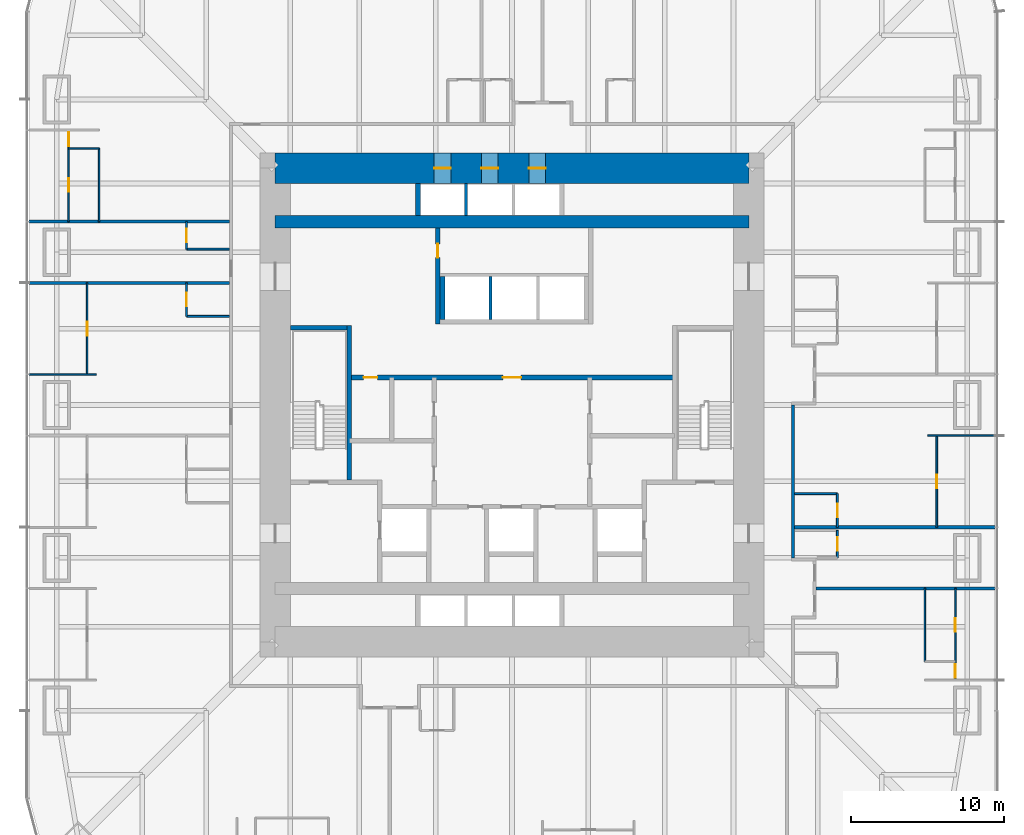
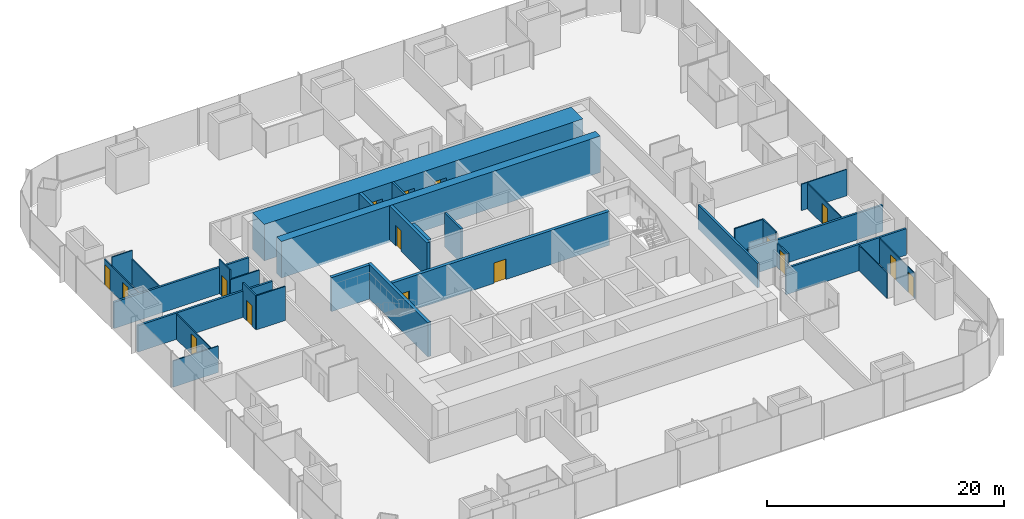
# One storey, part 14 of 17: 31 walls, 16 doors, 16 openings.
"""IFC4 building model written with IfcOpenShell, lengths in metres."""

from ifc_helpers import new_model, si_unit, direction, frame, frame_2d, origin, place, context, subcontext, project, spatial, rectangle, extrude, material, layer, layer_set, type_object, element, fill, save


model = new_model("IFC4")

# Units and contexts
model_context = context("Model", 3, precision=1e-05, world=origin(), true_north=direction((0.0, 1.0)))
body_context = subcontext(model_context, "Body", "Model", "MODEL_VIEW")
ifc_project = project(units=[si_unit("LENGTHUNIT", "METRE"), si_unit("AREAUNIT", "SQUARE_METRE"), si_unit("VOLUMEUNIT", "CUBIC_METRE"), si_unit("PLANEANGLEUNIT", "RADIAN"), si_unit("MASSUNIT", "GRAM", prefix="KILO")], contexts=[model_context])

# Site, building, storey
site_placement = place(None, origin())
site = spatial("IfcSite", under=ifc_project, at=site_placement, CompositionType="ELEMENT")
building_placement = place(site_placement, origin())
building = spatial("IfcBuilding", under=site, at=building_placement, Name="Khuree Lantern Residences", CompositionType="ELEMENT")
storey_placement = place(building_placement, frame((0.0, 0.0, 43.5)))
storey = spatial("IfcBuildingStorey", under=building, at=storey_placement, Name="L10", CompositionType="ELEMENT", Elevation=43.5)

# Wall, opening, door
ifc_material_1 = material(Name="Moisture-resistant gypsum board on steel studs", Category="steel")
ifc_layer_1 = layer(ifc_material_1, 0.125)
ifc_layer_set_1 = layer_set([ifc_layer_1], Name="BATHROOM WALL BTW125")
wall_type_1 = type_object("IfcWallType", Name="BATHROOM WALL BTW125", PredefinedType="PARTITIONING", material=ifc_layer_set_1)
wall_1_placement = place(storey_placement, frame((21.300048828125, -8.0, 0.0), z_axis=(0.0, 0.0, 1.0), x_axis=(0.0, 1.0, 0.0)))
wall_1 = element("IfcWall", 1, at=wall_1_placement, inside=storey, type_object=wall_type_1, Name="L10 BATHROOM WALL 01", PredefinedType="PARTITIONING", context=body_context, shape_type="SweptSolid", body=[
    extrude(rectangle(XDim=2.199951171875, YDim=0.125, at=frame_2d((1.10009765625, 0.0))), origin(), (0.0, 0.0, 1.0), 3.5),
])
opening_1_placement = place(wall_1_placement, frame((0.64990234375, 0.0, 0.0)))
opening_1 = element("IfcOpeningElement", 2, at=opening_1_placement, cuts=wall_1, Name="Opening 10-023", PredefinedType="OPENING", context=body_context, shape_type="SweptSolid", body=[
    extrude(rectangle(XDim=0.89990234375, YDim=2.10009765625, at=frame_2d((0.449951171875, 1.050048828125))), frame((0.0, 0.072509765625, 0.0), z_axis=(0.0, -1.0, 0.0), x_axis=(1.0, 0.0, 0.0)), (0.0, 0.0, 1.0), 0.14501953125),
])
ifc_material_2 = material(Name="Timber door leaf in hardwood frame", Category="wood")
door_type_1 = type_object("IfcDoorType", Name="BATHROOM DOOR 900X2100", OperationType="SINGLE_SWING_LEFT", PredefinedType="DOOR", material=ifc_material_2)
door_1_placement = place(opening_1_placement, origin())
door_1 = element("IfcDoor", 3, at=door_1_placement, inside=storey, type_object=door_type_1, Name="Bathroom door 10-023", OperationType="SINGLE_SWING_LEFT", OverallHeight=2.10009765625, OverallWidth=0.89990234375, PredefinedType="DOOR", context=body_context, shape_type="SweptSolid", body=[
    extrude(rectangle(XDim=0.89990234375, YDim=2.10009765625, at=frame_2d((0.449951171875, 1.050048828125))), frame((0.0, 0.02490234375, 0.0), z_axis=(0.0, -1.0, 0.0), x_axis=(1.0, 0.0, 0.0)), (0.0, 0.0, 1.0), 0.050048828125),
])
fill(opening_1, door_1)

# Wall
wall_2_placement = place(storey_placement, frame((18.5, -5.800048828125, 0.0), z_axis=(0.0, 0.0, 1.0), x_axis=(1.0, 0.0, 0.0)))
element("IfcWall", 4, at=wall_2_placement, inside=storey, type_object=wall_type_1, Name="L10 BATHROOM WALL 01", PredefinedType="PARTITIONING", context=body_context, shape_type="SweptSolid", body=[
    extrude(rectangle(XDim=2.800048828125, YDim=0.125, at=frame_2d((1.39990234375, 0.0))), origin(), (0.0, 0.0, 1.0), 3.5),
])

# Wall, opening, door
wall_3_placement = place(storey_placement, frame((-21.300048828125, 12.0, 0.0), z_axis=(0.0, 0.0, 1.0), x_axis=(0.0, -1.0, 0.0)))
wall_3 = element("IfcWall", 5, at=wall_3_placement, inside=storey, type_object=wall_type_1, Name="L10 BATHROOM WALL 06", PredefinedType="PARTITIONING", context=body_context, shape_type="SweptSolid", body=[
    extrude(rectangle(XDim=1.800048828125, YDim=0.125, at=frame_2d((0.89990234375, 0.0))), origin(), (0.0, 0.0, 1.0), 3.5),
])
opening_2_placement = place(wall_3_placement, frame((0.449951171875, 0.0, 0.0)))
opening_2 = element("IfcOpeningElement", 6, at=opening_2_placement, cuts=wall_3, Name="Opening 10-041", PredefinedType="OPENING", context=body_context, shape_type="SweptSolid", body=[
    extrude(rectangle(XDim=0.89990234375, YDim=2.10009765625, at=frame_2d((0.449951171875, 1.050048828125))), frame((0.0, 0.072509765625, 0.0), z_axis=(0.0, -1.0, 0.0), x_axis=(1.0, 0.0, 0.0)), (0.0, 0.0, 1.0), 0.14501953125),
])
door_2_placement = place(opening_2_placement, origin())
door_2 = element("IfcDoor", 7, at=door_2_placement, inside=storey, type_object=door_type_1, Name="Bathroom door 10-041", OperationType="SINGLE_SWING_LEFT", OverallHeight=2.10009765625, OverallWidth=0.89990234375, PredefinedType="DOOR", context=body_context, shape_type="SweptSolid", body=[
    extrude(rectangle(XDim=0.89990234375, YDim=2.10009765625, at=frame_2d((0.449951171875, 1.050048828125))), frame((0.0, 0.02490234375, 0.0), z_axis=(0.0, -1.0, 0.0), x_axis=(1.0, 0.0, 0.0)), (0.0, 0.0, 1.0), 0.050048828125),
])
fill(opening_2, door_2)

# Wall
wall_4_placement = place(storey_placement, frame((-18.5, 10.199951171875, 0.0), z_axis=(0.0, 0.0, 1.0), x_axis=(-1.0, 0.0, 0.0)))
element("IfcWall", 8, at=wall_4_placement, inside=storey, type_object=wall_type_1, Name="L10 BATHROOM WALL 06", PredefinedType="PARTITIONING", context=body_context, shape_type="SweptSolid", body=[
    extrude(rectangle(XDim=2.800048828125, YDim=0.125, at=frame_2d((1.39990234375, 0.0))), origin(), (0.0, 0.0, 1.0), 2.491943359375),
])

# Wall, opening, door
wall_5_placement = place(storey_placement, frame((-21.300048828125, 8.0, 0.0), z_axis=(0.0, 0.0, 1.0), x_axis=(0.0, -1.0, 0.0)))
wall_5 = element("IfcWall", 9, at=wall_5_placement, inside=storey, type_object=wall_type_1, Name="L10 BATHROOM WALL 07", PredefinedType="PARTITIONING", context=body_context, shape_type="SweptSolid", body=[
    extrude(rectangle(XDim=2.199951171875, YDim=0.125, at=frame_2d((1.10009765625, 0.0))), origin(), (0.0, 0.0, 1.0), 3.5),
])
opening_3_placement = place(wall_5_placement, frame((0.64990234375, 0.0, 0.0)))
opening_3 = element("IfcOpeningElement", 10, at=opening_3_placement, cuts=wall_5, Name="Opening 10-044", PredefinedType="OPENING", context=body_context, shape_type="SweptSolid", body=[
    extrude(rectangle(XDim=0.89990234375, YDim=2.10009765625, at=frame_2d((0.449951171875, 1.050048828125))), frame((0.0, 0.072509765625, 0.0), z_axis=(0.0, -1.0, 0.0), x_axis=(1.0, 0.0, 0.0)), (0.0, 0.0, 1.0), 0.14501953125),
])
door_3_placement = place(opening_3_placement, origin())
door_3 = element("IfcDoor", 11, at=door_3_placement, inside=storey, type_object=door_type_1, Name="Bathroom door 10-044", OperationType="SINGLE_SWING_LEFT", OverallHeight=2.10009765625, OverallWidth=0.89990234375, PredefinedType="DOOR", context=body_context, shape_type="SweptSolid", body=[
    extrude(rectangle(XDim=0.89990234375, YDim=2.10009765625, at=frame_2d((0.449951171875, 1.050048828125))), frame((0.0, 0.02490234375, 0.0), z_axis=(0.0, -1.0, 0.0), x_axis=(1.0, 0.0, 0.0)), (0.0, 0.0, 1.0), 0.050048828125),
])
fill(opening_3, door_3)

# Wall
wall_6_placement = place(storey_placement, frame((-18.5, 5.800048828125, 0.0), z_axis=(0.0, 0.0, 1.0), x_axis=(-1.0, 0.0, 0.0)))
element("IfcWall", 12, at=wall_6_placement, inside=storey, type_object=wall_type_1, Name="L10 BATHROOM WALL 07", PredefinedType="PARTITIONING", context=body_context, shape_type="SweptSolid", body=[
    extrude(rectangle(XDim=2.800048828125, YDim=0.125, at=frame_2d((1.39990234375, 0.0))), origin(), (0.0, 0.0, 1.0), 3.5),
])

# Wall, opening, door
wall_7_placement = place(storey_placement, frame((21.300048828125, -10.0, 0.0), z_axis=(0.0, 0.0, 1.0), x_axis=(0.0, 1.0, 0.0)))
wall_7 = element("IfcWall", 13, at=wall_7_placement, inside=storey, type_object=wall_type_1, Name="L10 BATHROOM WALL 11", PredefinedType="PARTITIONING", context=body_context, shape_type="SweptSolid", body=[
    extrude(rectangle(XDim=1.800048828125, YDim=0.125, at=frame_2d((0.89990234375, 0.0))), origin(), (0.0, 0.0, 1.0), 2.491943359375),
])
opening_4_placement = place(wall_7_placement, frame((0.449951171875, 0.0, 0.0)))
opening_4 = element("IfcOpeningElement", 14, at=opening_4_placement, cuts=wall_7, Name="Opening 10-060", PredefinedType="OPENING", context=body_context, shape_type="SweptSolid", body=[
    extrude(rectangle(XDim=0.89990234375, YDim=2.10009765625, at=frame_2d((0.449951171875, 1.050048828125))), frame((0.0, 0.072509765625, 0.0), z_axis=(0.0, -1.0, 0.0), x_axis=(1.0, 0.0, 0.0)), (0.0, 0.0, 1.0), 0.14501953125),
])
door_4_placement = place(opening_4_placement, origin())
door_4 = element("IfcDoor", 15, at=door_4_placement, inside=storey, type_object=door_type_1, Name="Bathroom door 10-060", OperationType="SINGLE_SWING_LEFT", OverallHeight=2.10009765625, OverallWidth=0.89990234375, PredefinedType="DOOR", context=body_context, shape_type="SweptSolid", body=[
    extrude(rectangle(XDim=0.89990234375, YDim=2.10009765625, at=frame_2d((0.449951171875, 1.050048828125))), frame((0.0, 0.02490234375, 0.0), z_axis=(0.0, -1.0, 0.0), x_axis=(1.0, 0.0, 0.0)), (0.0, 0.0, 1.0), 0.050048828125),
])
fill(opening_4, door_4)

# Walls
ifc_material_3 = material(Name="Dense concrete blockwork", Category="masonry")
ifc_layer_2 = layer(ifc_material_3, 0.300048828125)
ifc_layer_set_2 = layer_set([ifc_layer_2], Name="CORE PARTITION WALL CPW300 EI 120")
wall_type_2 = type_object("IfcWallType", Name="CORE PARTITION WALL CPW300 EI 120", PredefinedType="PARTITIONING", material=ifc_layer_set_2)
wall_8_placement = place(storey_placement, frame((-4.550048828125, 5.60009765625, 0.0), z_axis=(0.0, 0.0, 1.0), x_axis=(0.0, 1.0, 0.0)))
element("IfcWall", 16, at=wall_8_placement, inside=storey, type_object=wall_type_2, Name="L10 CORE WALL PHW", PredefinedType="PARTITIONING", context=body_context, shape_type="SweptSolid", body=[
    extrude(rectangle(XDim=2.7998046875, YDim=0.300048828125, at=frame_2d((1.39990234375, 0.0))), origin(), (0.0, 0.0, 1.0), 3.5),
])
wall_9_placement = place(storey_placement, frame((-6.14990234375, 12.39990234375, 0.0), z_axis=(0.0, 0.0, 1.0), x_axis=(0.0, 1.0, 0.0)))
element("IfcWall", 17, at=wall_9_placement, inside=storey, type_object=wall_type_2, Name="L10 CORE WALL PLW", PredefinedType="PARTITIONING", context=body_context, shape_type="SweptSolid", body=[
    extrude(rectangle(XDim=2.10009765625, YDim=0.300048828125, at=frame_2d((1.050048828125, 0.0))), origin(), (0.0, 0.0, 1.0), 3.5),
])

# Wall, openings, doors
wall_10_placement = place(storey_placement, frame((-10.64990234375, 1.800048828125, 0.0), z_axis=(0.0, 0.0, 1.0), x_axis=(1.0, 0.0, 0.0)))
wall_10 = element("IfcWall", 18, at=wall_10_placement, inside=storey, type_object=wall_type_2, Name="L10 CORE WALL LLS", PredefinedType="PARTITIONING", context=body_context, shape_type="SweptSolid", body=[
    extrude(rectangle(XDim=21.2998046875, YDim=0.300048828125, at=frame_2d((10.64990234375, 0.0))), origin(), (0.0, 0.0, 1.0), 3.5),
])
opening_5_placement = place(wall_10_placement, frame((10.050048828125, 0.0, 0.0)))
opening_5 = element("IfcOpeningElement", 19, at=opening_5_placement, cuts=wall_10, Name="Opening 10-013", PredefinedType="OPENING", context=body_context, shape_type="SweptSolid", body=[
    extrude(rectangle(XDim=1.199951171875, YDim=2.10009765625, at=frame_2d((0.60009765625, 1.050048828125))), frame((0.0, 0.16015625, 0.0), z_axis=(0.0, -1.0, 0.0), x_axis=(1.0, 0.0, 0.0)), (0.0, 0.0, 1.0), 0.320068359375),
])
opening_6_placement = place(wall_10_placement, frame((0.93798828125, 0.0, 0.0)))
opening_6 = element("IfcOpeningElement", 20, at=opening_6_placement, cuts=wall_10, Name="Opening 10-018", PredefinedType="OPENING", context=body_context, shape_type="SweptSolid", body=[
    extrude(rectangle(XDim=0.89990234375, YDim=2.10009765625, at=frame_2d((0.449951171875, 1.050048828125))), frame((0.0, 0.16015625, 0.0), z_axis=(0.0, -1.0, 0.0), x_axis=(1.0, 0.0, 0.0)), (0.0, 0.0, 1.0), 0.320068359375),
])
ifc_material_4 = material(Name="Steel door leaf in steel frame", Category="steel")
door_type_2 = type_object("IfcDoorType", Name="DOOR 1200X2100 EI 60", OperationType="SINGLE_SWING_LEFT", PredefinedType="DOOR", material=ifc_material_4)
door_5_placement = place(opening_5_placement, origin())
door_5 = element("IfcDoor", 21, at=door_5_placement, inside=storey, type_object=door_type_2, Name="Service lift lobby door 10-013", OperationType="SINGLE_SWING_LEFT", OverallHeight=2.10009765625, OverallWidth=1.199951171875, PredefinedType="DOOR", context=body_context, shape_type="SweptSolid", body=[
    extrude(rectangle(XDim=1.199951171875, YDim=2.10009765625, at=frame_2d((0.60009765625, 1.050048828125))), frame((0.0, 0.02490234375, 0.0), z_axis=(0.0, -1.0, 0.0), x_axis=(1.0, 0.0, 0.0)), (0.0, 0.0, 1.0), 0.050048828125),
])
fill(opening_5, door_5)
door_type_3 = type_object("IfcDoorType", Name="DOOR 900X2100", OperationType="SINGLE_SWING_LEFT", PredefinedType="DOOR", material=ifc_material_2)
door_6_placement = place(opening_6_placement, origin())
door_6 = element("IfcDoor", 22, at=door_6_placement, inside=storey, type_object=door_type_3, Name="Building management room door 10-018", OperationType="SINGLE_SWING_LEFT", OverallHeight=2.10009765625, OverallWidth=0.89990234375, PredefinedType="DOOR", context=body_context, shape_type="SweptSolid", body=[
    extrude(rectangle(XDim=0.89990234375, YDim=2.10009765625, at=frame_2d((0.449951171875, 1.050048828125))), frame((0.0, 0.02490234375, 0.0), z_axis=(0.0, -1.0, 0.0), x_axis=(1.0, 0.0, 0.0)), (0.0, 0.0, 1.0), 0.050048828125),
])
fill(opening_6, door_6)

# Wall, opening, door
wall_11_placement = place(storey_placement, frame((-4.85009765625, 5.300048828125, 0.0), z_axis=(0.0, 0.0, 1.0), x_axis=(0.0, 1.0, 0.0)))
wall_11 = element("IfcWall", 23, at=wall_11_placement, inside=storey, type_object=wall_type_2, Name="L10 CORE WALL NW", PredefinedType="PARTITIONING", context=body_context, shape_type="SweptSolid", body=[
    extrude(rectangle(XDim=6.300048828125, YDim=0.300048828125, at=frame_2d((3.14990234375, 0.0))), origin(), (0.0, 0.0, 1.0), 3.5),
])
opening_7_placement = place(wall_11_placement, frame((4.35009765625, 0.0, 0.0)))
opening_7 = element("IfcOpeningElement", 24, at=opening_7_placement, cuts=wall_11, Name="Opening 10-021", PredefinedType="OPENING", context=body_context, shape_type="SweptSolid", body=[
    extrude(rectangle(XDim=0.89990234375, YDim=2.10009765625, at=frame_2d((0.449951171875, 1.050048828125))), frame((0.0, 0.16015625, 0.0), z_axis=(0.0, -1.0, 0.0), x_axis=(1.0, 0.0, 0.0)), (0.0, 0.0, 1.0), 0.320068359375),
])
door_type_4 = type_object("IfcDoorType", Name="DOOR 900X2100 RIGHT HAND", OperationType="SINGLE_SWING_RIGHT", PredefinedType="DOOR", material=ifc_material_2)
door_7_placement = place(opening_7_placement, origin())
door_7 = element("IfcDoor", 25, at=door_7_placement, inside=storey, type_object=door_type_4, Name="Residents' store door 10-021", OperationType="SINGLE_SWING_RIGHT", OverallHeight=2.10009765625, OverallWidth=0.89990234375, PredefinedType="DOOR", context=body_context, shape_type="SweptSolid", body=[
    extrude(rectangle(XDim=0.89990234375, YDim=2.10009765625, at=frame_2d((0.449951171875, 1.050048828125))), frame((0.0, 0.02490234375, 0.0), z_axis=(0.0, -1.0, 0.0), x_axis=(1.0, 0.0, 0.0)), (0.0, 0.0, 1.0), 0.050048828125),
])
fill(opening_7, door_7)

# Wall
ifc_material_5 = material(Name="Gypsum board on steel studs", Category="steel")
ifc_layer_3 = layer(ifc_material_5, 0.199951171875)
ifc_layer_set_3 = layer_set([ifc_layer_3], Name="CORRIDOR WALL CRW200 EI 60")
wall_type_3 = type_object("IfcWallType", Name="CORRIDOR WALL CRW200 EI 60", PredefinedType="PARTITIONING", material=ifc_layer_set_3)
wall_12_placement = place(storey_placement, frame((18.39990234375, -10.0, 0.0), z_axis=(0.0, 0.0, 1.0), x_axis=(0.0, 1.0, 0.0)))
element("IfcWall", 26, at=wall_12_placement, inside=storey, type_object=wall_type_3, Name="L10 CORRIDOR WALL EAST 2", PredefinedType="PARTITIONING", context=body_context, shape_type="SweptSolid", body=[
    extrude(rectangle(XDim=10.0, YDim=0.199951171875, at=frame_2d((5.0, 0.0))), origin(), (0.0, 0.0, 1.0), 2.491943359375),
])

# Wall, openings, doors
ifc_material_6 = material(Name="Concrete C70/85", Category="concrete")
ifc_layer_4 = layer(ifc_material_6, 2.0)
ifc_layer_set_4 = layer_set([ifc_layer_4], Name="CW2000-C70 CORE WALL C70 2000")
wall_type_4 = type_object("IfcWallType", Name="CW2000-C70 CORE WALL C70 2000", PredefinedType="SHEAR", material=ifc_layer_set_4)
wall_13_placement = place(storey_placement, frame((-15.5, 15.5, -0.25), z_axis=(0.0, 0.0, 1.0), x_axis=(1.0, 0.0, 0.0)))
wall_13 = element("IfcWall", 27, at=wall_13_placement, inside=storey, type_object=wall_type_4, Name="Core wall N", PredefinedType="SHEAR", context=body_context, shape_type="SweptSolid", body=[
    extrude(rectangle(XDim=31.0, YDim=2.0, at=frame_2d((15.5, 0.0))), origin(), (0.0, 0.0, 1.0), 3.75),
])
opening_8_placement = place(wall_13_placement, frame((10.39990234375, 0.0, 0.25)))
opening_8 = element("IfcOpeningElement", 28, at=opening_8_placement, cuts=wall_13, Name="Opening 10-009", PredefinedType="OPENING", context=body_context, shape_type="SweptSolid", body=[
    extrude(rectangle(XDim=1.10009765625, YDim=2.10009765625, at=frame_2d((0.550048828125, 1.050048828125))), frame((0.0, 1.010009765625, 0.0), z_axis=(0.0, -1.0, 0.0), x_axis=(1.0, 0.0, 0.0)), (0.0, 0.0, 1.0), 2.02001953125),
])
opening_9_placement = place(wall_13_placement, frame((13.5, 0.0, 0.25)))
opening_9 = element("IfcOpeningElement", 29, at=opening_9_placement, cuts=wall_13, Name="Opening 10-010", PredefinedType="OPENING", context=body_context, shape_type="SweptSolid", body=[
    extrude(rectangle(XDim=1.10009765625, YDim=2.10009765625, at=frame_2d((0.550048828125, 1.050048828125))), frame((0.0, 1.010009765625, 0.0), z_axis=(0.0, -1.0, 0.0), x_axis=(1.0, 0.0, 0.0)), (0.0, 0.0, 1.0), 2.02001953125),
])
opening_10_placement = place(wall_13_placement, frame((16.60009765625, 0.0, 0.25)))
opening_10 = element("IfcOpeningElement", 30, at=opening_10_placement, cuts=wall_13, Name="Opening 10-011", PredefinedType="OPENING", context=body_context, shape_type="SweptSolid", body=[
    extrude(rectangle(XDim=1.10009765625, YDim=2.10009765625, at=frame_2d((0.550048828125, 1.050048828125))), frame((0.0, 1.010009765625, 0.0), z_axis=(0.0, -1.0, 0.0), x_axis=(1.0, 0.0, 0.0)), (0.0, 0.0, 1.0), 2.02001953125),
])
ifc_material_7 = material(Name="Stainless steel lift landing door", Category="steel")
door_type_5 = type_object("IfcDoorType", Name="LIFT LANDING DOOR 1100X2100 E 60", OperationType="DOUBLE_DOOR_SLIDING", PredefinedType="DOOR", material=ifc_material_7)
door_8_placement = place(opening_8_placement, origin())
door_8 = element("IfcDoor", 31, at=door_8_placement, inside=storey, type_object=door_type_5, Name="Landing door PL1 10-009", OperationType="DOUBLE_DOOR_SLIDING", OverallHeight=2.10009765625, OverallWidth=1.10009765625, PredefinedType="DOOR", context=body_context, shape_type="SweptSolid", body=[
    extrude(rectangle(XDim=1.10009765625, YDim=2.10009765625, at=frame_2d((0.550048828125, 1.050048828125))), frame((0.0, 0.02490234375, 0.0), z_axis=(0.0, -1.0, 0.0), x_axis=(1.0, 0.0, 0.0)), (0.0, 0.0, 1.0), 0.050048828125),
])
fill(opening_8, door_8)
door_9_placement = place(opening_9_placement, origin())
door_9 = element("IfcDoor", 32, at=door_9_placement, inside=storey, type_object=door_type_5, Name="Landing door PL2 10-010", OperationType="DOUBLE_DOOR_SLIDING", OverallHeight=2.10009765625, OverallWidth=1.10009765625, PredefinedType="DOOR", context=body_context, shape_type="SweptSolid", body=[
    extrude(rectangle(XDim=1.10009765625, YDim=2.10009765625, at=frame_2d((0.550048828125, 1.050048828125))), frame((0.0, 0.02490234375, 0.0), z_axis=(0.0, -1.0, 0.0), x_axis=(1.0, 0.0, 0.0)), (0.0, 0.0, 1.0), 0.050048828125),
])
fill(opening_9, door_9)
door_10_placement = place(opening_10_placement, origin())
door_10 = element("IfcDoor", 33, at=door_10_placement, inside=storey, type_object=door_type_5, Name="Landing door PL3 10-011", OperationType="DOUBLE_DOOR_SLIDING", OverallHeight=2.10009765625, OverallWidth=1.10009765625, PredefinedType="DOOR", context=body_context, shape_type="SweptSolid", body=[
    extrude(rectangle(XDim=1.10009765625, YDim=2.10009765625, at=frame_2d((0.550048828125, 1.050048828125))), frame((0.0, 0.02490234375, 0.0), z_axis=(0.0, -1.0, 0.0), x_axis=(1.0, 0.0, 0.0)), (0.0, 0.0, 1.0), 0.050048828125),
])
fill(opening_10, door_10)

# Walls
ifc_layer_5 = layer(ifc_material_5, 0.199951171875)
ifc_layer_set_5 = layer_set([ifc_layer_5], Name="DEMISING WALL DMW200 EI 90")
wall_type_5 = type_object("IfcWallType", Name="DEMISING WALL DMW200 EI 90", PredefinedType="PARTITIONING", material=ifc_layer_set_5)
for number, where, z_axis, x_axis, name in (
    (34, (18.5, -8.0, 0.0), (0.0, 0.0, 1.0), (1.0, 0.0, 0.0), "L10 DEMISING WALL 01"),
    (35, (-18.5, 12.0, 0.0), (0.0, 0.0, 1.0), (-1.0, 0.0, 0.0), "L10 DEMISING WALL 06"),
    (36, (-18.5, 8.0, 0.0), (0.0, 0.0, 1.0), (-1.0, 0.0, 0.0), "L10 DEMISING WALL 07"),
):
    element("IfcWall", number, at=place(storey_placement, frame(where, z_axis=z_axis, x_axis=x_axis)), inside=storey, type_object=wall_type_5, Name=name, PredefinedType="PARTITIONING", context=body_context, shape_type="SweptSolid", body=[
        extrude(rectangle(XDim=13.10009765625, YDim=0.199951171875, at=frame_2d((6.550048828125, 0.0))), origin(), (0.0, 0.0, 1.0), 2.7099609375),
    ])
wall_14_placement = place(storey_placement, frame((19.89990234375, -12.0, 0.0), z_axis=(0.0, 0.0, 1.0), x_axis=(1.0, 0.0, 0.0)))
element("IfcWall", 37, at=wall_14_placement, inside=storey, type_object=wall_type_5, Name="L10 DEMISING WALL 11", PredefinedType="PARTITIONING", context=body_context, shape_type="SweptSolid", body=[
    extrude(rectangle(XDim=11.7001953125, YDim=0.199951171875, at=frame_2d((5.85009765625, 0.0))), origin(), (0.0, 0.0, 1.0), 2.7099609375),
])
ifc_layer_6 = layer(ifc_material_5, 0.10009765625)
ifc_layer_set_6 = layer_set([ifc_layer_6], Name="PARTITION PT100")
wall_type_6 = type_object("IfcWallType", Name="PARTITION PT100", PredefinedType="PARTITIONING", material=ifc_layer_set_6)
for number, where, z_axis, x_axis, name in (
    (38, (27.199951171875, -2.0, 0.0), (0.0, 0.0, 1.0), (1.0, 0.0, 0.0), "L10 PARTITION 01"),
    (39, (-27.199951171875, 2.0, 0.0), (0.0, 0.0, 1.0), (-1.0, 0.0, 0.0), "L10 PARTITION 07"),
):
    element("IfcWall", number, at=place(storey_placement, frame(where, z_axis=z_axis, x_axis=x_axis)), inside=storey, type_object=wall_type_6, Name=name, PredefinedType="PARTITIONING", context=body_context, shape_type="SweptSolid", body=[
        extrude(rectangle(XDim=4.400146484375, YDim=0.10009765625, at=frame_2d((2.2001953125, 0.0))), origin(), (0.0, 0.0, 1.0), 2.7099609375),
    ])

# Wall, opening, door
wall_15_placement = place(storey_placement, frame((27.800048828125, -8.0, 0.0), z_axis=(0.0, 0.0, 1.0), x_axis=(0.0, 1.0, 0.0)))
wall_15 = element("IfcWall", 40, at=wall_15_placement, inside=storey, type_object=wall_type_6, Name="L10 PARTITION 01", PredefinedType="PARTITIONING", context=body_context, shape_type="SweptSolid", body=[
    extrude(rectangle(XDim=6.0, YDim=0.10009765625, at=frame_2d((3.0, 0.0))), origin(), (0.0, 0.0, 1.0), 2.610107421875),
])
opening_11_placement = place(wall_15_placement, frame((2.550048828125, 0.0, 0.0)))
opening_11 = element("IfcOpeningElement", 41, at=opening_11_placement, cuts=wall_15, Name="Opening 10-022", PredefinedType="OPENING", context=body_context, shape_type="SweptSolid", body=[
    extrude(rectangle(XDim=0.89990234375, YDim=2.10009765625, at=frame_2d((0.449951171875, 1.050048828125))), frame((0.0, 0.06005859375, 0.0), z_axis=(0.0, -1.0, 0.0), x_axis=(1.0, 0.0, 0.0)), (0.0, 0.0, 1.0), 0.1201171875),
])
door_type_6 = type_object("IfcDoorType", Name="BEDROOM DOOR 900X2100", OperationType="SINGLE_SWING_LEFT", PredefinedType="DOOR", material=ifc_material_2)
door_11_placement = place(opening_11_placement, origin())
door_11 = element("IfcDoor", 42, at=door_11_placement, inside=storey, type_object=door_type_6, Name="Bedroom door 10-022", OperationType="SINGLE_SWING_LEFT", OverallHeight=2.10009765625, OverallWidth=0.89990234375, PredefinedType="DOOR", context=body_context, shape_type="SweptSolid", body=[
    extrude(rectangle(XDim=0.89990234375, YDim=2.10009765625, at=frame_2d((0.449951171875, 1.050048828125))), frame((0.0, 0.02490234375, 0.0), z_axis=(0.0, -1.0, 0.0), x_axis=(1.0, 0.0, 0.0)), (0.0, 0.0, 1.0), 0.050048828125),
])
fill(opening_11, door_11)

# Wall, openings, doors
wall_16_placement = place(storey_placement, frame((-29.0166015625, 18.0, 0.0), z_axis=(0.0, 0.0, 1.0), x_axis=(0.0, -1.0, 0.0)))
wall_16 = element("IfcWall", 43, at=wall_16_placement, inside=storey, type_object=wall_type_6, Name="L10 PARTITION 05", PredefinedType="PARTITIONING", context=body_context, shape_type="SweptSolid", body=[
    extrude(rectangle(XDim=6.0, YDim=0.10009765625, at=frame_2d((3.0, 0.0))), origin(), (0.0, 0.0, 1.0), 2.610107421875),
])
opening_12_placement = place(wall_16_placement, frame((0.14990234375, 0.0, 0.0)))
opening_12 = element("IfcOpeningElement", 44, at=opening_12_placement, cuts=wall_16, Name="Opening 10-037", PredefinedType="OPENING", context=body_context, shape_type="SweptSolid", body=[
    extrude(rectangle(XDim=0.89990234375, YDim=2.10009765625, at=frame_2d((0.449951171875, 1.050048828125))), frame((0.0, 0.06005859375, 0.0), z_axis=(0.0, -1.0, 0.0), x_axis=(1.0, 0.0, 0.0)), (0.0, 0.0, 1.0), 0.1201171875),
])
opening_13_placement = place(wall_16_placement, frame((3.14990234375, 0.0, 0.0)))
opening_13 = element("IfcOpeningElement", 45, at=opening_13_placement, cuts=wall_16, Name="Opening 10-038", PredefinedType="OPENING", context=body_context, shape_type="SweptSolid", body=[
    extrude(rectangle(XDim=0.89990234375, YDim=2.10009765625, at=frame_2d((0.449951171875, 1.050048828125))), frame((0.0, 0.06005859375, 0.0), z_axis=(0.0, -1.0, 0.0), x_axis=(1.0, 0.0, 0.0)), (0.0, 0.0, 1.0), 0.1201171875),
])
door_12_placement = place(opening_12_placement, origin())
door_12 = element("IfcDoor", 46, at=door_12_placement, inside=storey, type_object=door_type_6, Name="Bedroom door 10-037", OperationType="SINGLE_SWING_LEFT", OverallHeight=2.10009765625, OverallWidth=0.89990234375, PredefinedType="DOOR", context=body_context, shape_type="SweptSolid", body=[
    extrude(rectangle(XDim=0.89990234375, YDim=2.10009765625, at=frame_2d((0.449951171875, 1.050048828125))), frame((0.0, 0.02490234375, 0.0), z_axis=(0.0, -1.0, 0.0), x_axis=(1.0, 0.0, 0.0)), (0.0, 0.0, 1.0), 0.050048828125),
])
fill(opening_12, door_12)
door_13_placement = place(opening_13_placement, origin())
door_13 = element("IfcDoor", 47, at=door_13_placement, inside=storey, type_object=door_type_3, Name="Wardrobe door 10-038", OperationType="SINGLE_SWING_LEFT", OverallHeight=2.10009765625, OverallWidth=0.89990234375, PredefinedType="DOOR", context=body_context, shape_type="SweptSolid", body=[
    extrude(rectangle(XDim=0.89990234375, YDim=2.10009765625, at=frame_2d((0.449951171875, 1.050048828125))), frame((0.0, 0.02490234375, 0.0), z_axis=(0.0, -1.0, 0.0), x_axis=(1.0, 0.0, 0.0)), (0.0, 0.0, 1.0), 0.050048828125),
])
fill(opening_13, door_13)

# Walls
wall_17_placement = place(storey_placement, frame((-27.0166015625, 16.800048828125, 0.0), z_axis=(0.0, 0.0, 1.0), x_axis=(-1.0, 0.0, 0.0)))
element("IfcWall", 48, at=wall_17_placement, inside=storey, type_object=wall_type_6, Name="L10 PARTITION 05", PredefinedType="PARTITIONING", context=body_context, shape_type="SweptSolid", body=[
    extrude(rectangle(XDim=2.0, YDim=0.10009765625, at=frame_2d((1.0, 0.0))), origin(), (0.0, 0.0, 1.0), 3.5),
])
wall_18_placement = place(storey_placement, frame((-27.0166015625, 16.800048828125, 0.0), z_axis=(0.0, 0.0, 1.0), x_axis=(0.0, -1.0, 0.0)))
element("IfcWall", 49, at=wall_18_placement, inside=storey, type_object=wall_type_6, Name="L10 PARTITION 05", PredefinedType="PARTITIONING", context=body_context, shape_type="SweptSolid", body=[
    extrude(rectangle(XDim=4.800048828125, YDim=0.10009765625, at=frame_2d((2.39990234375, 0.0))), origin(), (0.0, 0.0, 1.0), 2.610107421875),
])

# Wall, opening, door
wall_19_placement = place(storey_placement, frame((-27.800048828125, 8.0, 0.0), z_axis=(0.0, 0.0, 1.0), x_axis=(0.0, -1.0, 0.0)))
wall_19 = element("IfcWall", 50, at=wall_19_placement, inside=storey, type_object=wall_type_6, Name="L10 PARTITION 07", PredefinedType="PARTITIONING", context=body_context, shape_type="SweptSolid", body=[
    extrude(rectangle(XDim=6.0, YDim=0.10009765625, at=frame_2d((3.0, 0.0))), origin(), (0.0, 0.0, 1.0), 2.610107421875),
])
opening_14_placement = place(wall_19_placement, frame((2.550048828125, 0.0, 0.0)))
opening_14 = element("IfcOpeningElement", 51, at=opening_14_placement, cuts=wall_19, Name="Opening 10-043", PredefinedType="OPENING", context=body_context, shape_type="SweptSolid", body=[
    extrude(rectangle(XDim=0.89990234375, YDim=2.10009765625, at=frame_2d((0.449951171875, 1.050048828125))), frame((0.0, 0.06005859375, 0.0), z_axis=(0.0, -1.0, 0.0), x_axis=(1.0, 0.0, 0.0)), (0.0, 0.0, 1.0), 0.1201171875),
])
door_14_placement = place(opening_14_placement, origin())
door_14 = element("IfcDoor", 52, at=door_14_placement, inside=storey, type_object=door_type_6, Name="Bedroom door 10-043", OperationType="SINGLE_SWING_LEFT", OverallHeight=2.10009765625, OverallWidth=0.89990234375, PredefinedType="DOOR", context=body_context, shape_type="SweptSolid", body=[
    extrude(rectangle(XDim=0.89990234375, YDim=2.10009765625, at=frame_2d((0.449951171875, 1.050048828125))), frame((0.0, 0.02490234375, 0.0), z_axis=(0.0, -1.0, 0.0), x_axis=(1.0, 0.0, 0.0)), (0.0, 0.0, 1.0), 0.050048828125),
])
fill(opening_14, door_14)

# Wall, openings, doors
wall_20_placement = place(storey_placement, frame((29.0166015625, -18.0, 0.0), z_axis=(0.0, 0.0, 1.0), x_axis=(0.0, 1.0, 0.0)))
wall_20 = element("IfcWall", 53, at=wall_20_placement, inside=storey, type_object=wall_type_6, Name="L10 PARTITION 10", PredefinedType="PARTITIONING", context=body_context, shape_type="SweptSolid", body=[
    extrude(rectangle(XDim=6.0, YDim=0.10009765625, at=frame_2d((3.0, 0.0))), origin(), (0.0, 0.0, 1.0), 2.610107421875),
])
opening_15_placement = place(wall_20_placement, frame((0.14990234375, 0.0, 0.0)))
opening_15 = element("IfcOpeningElement", 54, at=opening_15_placement, cuts=wall_20, Name="Opening 10-056", PredefinedType="OPENING", context=body_context, shape_type="SweptSolid", body=[
    extrude(rectangle(XDim=0.89990234375, YDim=2.10009765625, at=frame_2d((0.449951171875, 1.050048828125))), frame((0.0, 0.06005859375, 0.0), z_axis=(0.0, -1.0, 0.0), x_axis=(1.0, 0.0, 0.0)), (0.0, 0.0, 1.0), 0.1201171875),
])
opening_16_placement = place(wall_20_placement, frame((3.14990234375, 0.0, 0.0)))
opening_16 = element("IfcOpeningElement", 55, at=opening_16_placement, cuts=wall_20, Name="Opening 10-057", PredefinedType="OPENING", context=body_context, shape_type="SweptSolid", body=[
    extrude(rectangle(XDim=0.89990234375, YDim=2.10009765625, at=frame_2d((0.449951171875, 1.050048828125))), frame((0.0, 0.06005859375, 0.0), z_axis=(0.0, -1.0, 0.0), x_axis=(1.0, 0.0, 0.0)), (0.0, 0.0, 1.0), 0.1201171875),
])
door_15_placement = place(opening_15_placement, origin())
door_15 = element("IfcDoor", 56, at=door_15_placement, inside=storey, type_object=door_type_6, Name="Bedroom door 10-056", OperationType="SINGLE_SWING_LEFT", OverallHeight=2.10009765625, OverallWidth=0.89990234375, PredefinedType="DOOR", context=body_context, shape_type="SweptSolid", body=[
    extrude(rectangle(XDim=0.89990234375, YDim=2.10009765625, at=frame_2d((0.449951171875, 1.050048828125))), frame((0.0, 0.02490234375, 0.0), z_axis=(0.0, -1.0, 0.0), x_axis=(1.0, 0.0, 0.0)), (0.0, 0.0, 1.0), 0.050048828125),
])
fill(opening_15, door_15)
door_16_placement = place(opening_16_placement, origin())
door_16 = element("IfcDoor", 57, at=door_16_placement, inside=storey, type_object=door_type_3, Name="Wardrobe door 10-057", OperationType="SINGLE_SWING_LEFT", OverallHeight=2.10009765625, OverallWidth=0.89990234375, PredefinedType="DOOR", context=body_context, shape_type="SweptSolid", body=[
    extrude(rectangle(XDim=0.89990234375, YDim=2.10009765625, at=frame_2d((0.449951171875, 1.050048828125))), frame((0.0, 0.02490234375, 0.0), z_axis=(0.0, -1.0, 0.0), x_axis=(1.0, 0.0, 0.0)), (0.0, 0.0, 1.0), 0.050048828125),
])
fill(opening_16, door_16)

# Walls
wall_21_placement = place(storey_placement, frame((27.0166015625, -16.800048828125, 0.0), z_axis=(0.0, 0.0, 1.0), x_axis=(0.0, 1.0, 0.0)))
element("IfcWall", 58, at=wall_21_placement, inside=storey, type_object=wall_type_6, Name="L10 PARTITION 10", PredefinedType="PARTITIONING", context=body_context, shape_type="SweptSolid", body=[
    extrude(rectangle(XDim=4.800048828125, YDim=0.10009765625, at=frame_2d((2.39990234375, 0.0))), origin(), (0.0, 0.0, 1.0), 2.610107421875),
])
ifc_layer_7 = layer(ifc_material_3, 0.199951171875)
ifc_layer_set_7 = layer_set([ifc_layer_7], Name="SHAFT WALL SHW200 EI 120")
wall_type_7 = type_object("IfcWallType", Name="SHAFT WALL SHW200 EI 120", PredefinedType="PARTITIONING", material=ifc_layer_set_7)
wall_22_placement = place(storey_placement, frame((-1.39990234375, 5.60009765625, 0.0), z_axis=(0.0, 0.0, 1.0), x_axis=(0.0, 1.0, 0.0)))
element("IfcWall", 59, at=wall_22_placement, inside=storey, type_object=wall_type_7, Name="L10 CORE WALL PHD1", PredefinedType="PARTITIONING", context=body_context, shape_type="SweptSolid", body=[
    extrude(rectangle(XDim=2.7998046875, YDim=0.199951171875, at=frame_2d((1.39990234375, 0.0))), origin(), (0.0, 0.0, 1.0), 3.5),
])
wall_23_placement = place(storey_placement, frame((-3.0, 12.39990234375, 0.0), z_axis=(0.0, 0.0, 1.0), x_axis=(0.0, 1.0, 0.0)))
element("IfcWall", 60, at=wall_23_placement, inside=storey, type_object=wall_type_7, Name="L10 CORE WALL PLD1", PredefinedType="PARTITIONING", context=body_context, shape_type="SweptSolid", body=[
    extrude(rectangle(XDim=2.10009765625, YDim=0.199951171875, at=frame_2d((1.050048828125, 0.0))), origin(), (0.0, 0.0, 1.0), 3.5),
])
ifc_layer_8 = layer(ifc_material_6, 0.800048828125)
ifc_layer_set_8 = layer_set([ifc_layer_8], Name="SP800-C70 CORE SPINE WALL C70 800")
wall_type_8 = type_object("IfcWallType", Name="SP800-C70 CORE SPINE WALL C70 800", PredefinedType="SHEAR", material=ifc_layer_set_8)
wall_24_placement = place(storey_placement, frame((-15.5, 12.0, -0.25), z_axis=(0.0, 0.0, 1.0), x_axis=(1.0, 0.0, 0.0)))
element("IfcWall", 61, at=wall_24_placement, inside=storey, type_object=wall_type_8, Name="Core wall SPN", PredefinedType="SHEAR", context=body_context, shape_type="SweptSolid", body=[
    extrude(rectangle(XDim=31.0, YDim=0.800048828125, at=frame_2d((15.5, 0.0))), origin(), (0.0, 0.0, 1.0), 3.75),
])
ifc_material_8 = material(Name="Concrete C50/60", Category="concrete")
ifc_layer_9 = layer(ifc_material_8, 0.300048828125)
ifc_layer_set_9 = layer_set([ifc_layer_9], Name="STAIR WALL SRW300 C50/60 REI 240")
wall_type_9 = type_object("IfcWallType", Name="STAIR WALL SRW300 C50/60 REI 240", PredefinedType="SOLIDWALL", material=ifc_layer_set_9)
wall_25_placement = place(storey_placement, frame((-10.64990234375, -4.89990234375, 0.0), z_axis=(0.0, 0.0, 1.0), x_axis=(0.0, 1.0, 0.0)))
element("IfcWall", 62, at=wall_25_placement, inside=storey, type_object=wall_type_9, Name="L10 STAIR WALL ST1E", PredefinedType="SOLIDWALL", context=body_context, shape_type="SweptSolid", body=[
    extrude(rectangle(XDim=10.099853515625, YDim=0.300048828125, at=frame_2d((5.0498046875, 0.0))), origin(), (0.0, 0.0, 1.0), 3.5),
])
wall_26_placement = place(storey_placement, frame((-14.5, 5.050048828125, 0.0), z_axis=(0.0, 0.0, 1.0), x_axis=(1.0, 0.0, 0.0)))
element("IfcWall", 63, at=wall_26_placement, inside=storey, type_object=wall_type_9, Name="L10 STAIR WALL ST1N", PredefinedType="SOLIDWALL", context=body_context, shape_type="SweptSolid", body=[
    extrude(rectangle(XDim=3.699951171875, YDim=0.300048828125, at=frame_2d((1.85009765625, 0.0))), origin(), (0.0, 0.0, 1.0), 3.5),
])

save(model, "model.ifc")
